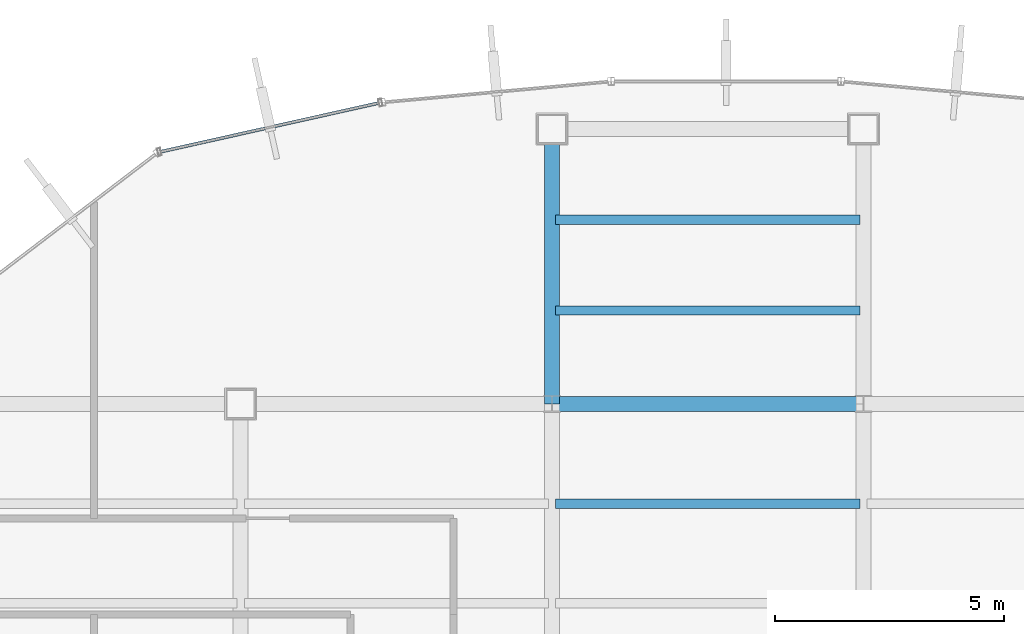
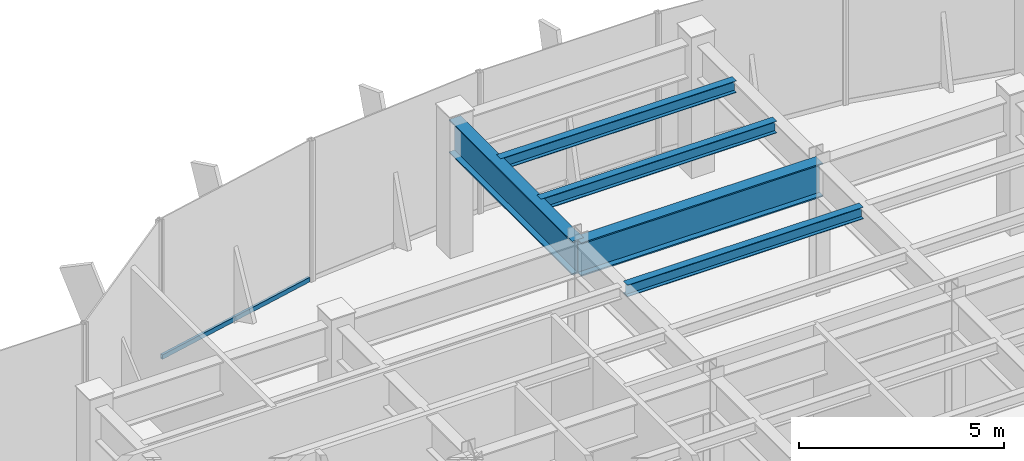
# One storey, part 11 of 26: 5 beams, 1 member, 1 element without a shape of its own.
"""IFC4 building model written with IfcOpenShell, lengths in metres."""

import ifcopenshell
import ifcopenshell.guid

model = None  # the IFC model being written
_history = None  # IfcOwnerHistory: only IFC2X3 demands one
_inside = {}  # id of a spatial element -> (the spatial element, [elements in it])
_under = {}  # id of a project, library or spatial element -> (it, [spatial elements below it])
_declared = {}  # id of a project -> (the project, [libraries it declares])
_typed = {}  # id of a type object -> (the type object, [elements of that type])
_made_of = {}  # id of a material, layer set ... -> (it, [elements and type objects made of it])


def new_model(schema):
    """Start an empty IFC model of exactly this schema.

    Asked for "IFC4X3", IfcOpenShell would pick the latest addendum, in which some entities
    have other attributes; the version numbers below select the first issue.
    IFC2X3 requires an IfcOwnerHistory on every rooted entity: one is made here for all.
    """
    global model, _history
    if schema == "IFC4X3":
        model = ifcopenshell.file(schema_version=(4, 3, 0, 0))
    else:
        model = ifcopenshell.file(schema=schema)
    _inside.clear()
    _under.clear()
    _declared.clear()
    _typed.clear()
    _made_of.clear()
    _history = None
    if model.schema == "IFC2X3":
        org = make("IfcOrganization", Name="unknown")
        user = make(
            "IfcPersonAndOrganization",
            ThePerson=make("IfcPerson", FamilyName="unknown"),
            TheOrganization=org,
        )
        app = make(
            "IfcApplication",
            ApplicationDeveloper=org,
            Version="unknown",
            ApplicationFullName="unknown",
            ApplicationIdentifier="unknown",
        )
        _history = make(
            "IfcOwnerHistory",
            OwningUser=user,
            OwningApplication=app,
            ChangeAction="ADDED",
            CreationDate=0,
        )
    return model


def make(cls, **values):
    """One entity of the class cls with the attributes given. An attribute that is None is left unset."""
    return model.create_entity(
        cls, **{name: value for name, value in values.items() if value is not None}
    )


def rooted(cls, **values):
    """An entity with a GlobalId (a new one), such as an element, a storey or a relation."""
    return make(cls, GlobalId=ifcopenshell.guid.new(), OwnerHistory=_history, **values)


def si_unit(unit_type, name, prefix=None):
    """IfcSIUnit, for example si_unit("LENGTHUNIT", "METRE", prefix="MILLI")."""
    return make("IfcSIUnit", UnitType=unit_type, Prefix=prefix, Name=name)


def derived_unit(unit_type, elements):
    """IfcDerivedUnit: a product of units, each with its exponent."""
    return make(
        "IfcDerivedUnit",
        Elements=[
            make("IfcDerivedUnitElement", Unit=unit, Exponent=power)
            for unit, power in elements
        ],
        UnitType=unit_type,
    )


def assignment(units):
    """IfcUnitAssignment: the units of a project."""
    return None if units is None else make("IfcUnitAssignment", Units=units)


def point(xyz):
    """IfcCartesianPoint."""
    return None if xyz is None else make("IfcCartesianPoint", Coordinates=xyz)


def direction(xyz):
    """IfcDirection."""
    return None if xyz is None else make("IfcDirection", DirectionRatios=xyz)


def frame(location, z_axis=None, x_axis=None):
    """IfcAxis2Placement3D, a coordinate frame: its origin and axes. An axis left out is left unset."""
    return make(
        "IfcAxis2Placement3D",
        Location=point(location),
        Axis=direction(z_axis),
        RefDirection=direction(x_axis),
    )


def frame_2d(location, x_axis=None):
    """IfcAxis2Placement2D, a coordinate frame in the plane: its origin and x axis."""
    return make(
        "IfcAxis2Placement2D", Location=point(location), RefDirection=direction(x_axis)
    )


def origin():
    """The frame at (0, 0, 0) with its axes left unset."""
    return frame((0.0, 0.0, 0.0))


def origin_2d():
    """The frame at (0, 0) in the plane with its x axis left unset."""
    return frame_2d((0.0, 0.0))


def place(relative_to, where):
    """IfcLocalPlacement: puts the frame where relative to a parent placement (None: the world)."""
    return make(
        "IfcLocalPlacement", PlacementRelTo=relative_to, RelativePlacement=where
    )


def context(
    kind, dimensions, precision=None, world=None, true_north=None, identifier=None
):
    """IfcGeometricRepresentationContext, for example the 3D "Model" context."""
    return make(
        "IfcGeometricRepresentationContext",
        ContextIdentifier=identifier,
        ContextType=kind,
        CoordinateSpaceDimension=dimensions,
        Precision=precision,
        WorldCoordinateSystem=world,
        TrueNorth=true_north,
    )


def subcontext(parent, identifier, kind, view, scale=None):
    """IfcGeometricRepresentationSubContext, for example "Body" below "Model"."""
    return make(
        "IfcGeometricRepresentationSubContext",
        ContextIdentifier=identifier,
        ContextType=kind,
        ParentContext=parent,
        TargetScale=scale,
        TargetView=view,
    )


def project(units=None, contexts=None):
    """IfcProject with its units and contexts."""
    return rooted(
        "IfcProject",
        Name="project",
        RepresentationContexts=contexts,
        UnitsInContext=assignment(units),
    )


def spatial(cls, under=None, at=None, **own):
    """A site, building, storey or space (cls), placed at a placement, below another one or the project."""
    s = rooted(cls, ObjectPlacement=at, **own)
    if under is not None:
        _under.setdefault(under.id(), (under, []))[1].append(s)
    return s


def profile(cls, at=None, kind="AREA", **sizes):
    """A parametric profile (cls). Its sizes go by their IFC names, for example OverallWidth=200.0."""
    return make(cls, ProfileType=kind, Position=at, **sizes)


def hollow_rectangle(**sizes):
    """IfcRectangleHollowProfileDef."""
    return profile("IfcRectangleHollowProfileDef", **sizes)


def i_section(**sizes):
    """IfcIShapeProfileDef."""
    return profile("IfcIShapeProfileDef", **sizes)


def extrude(swept, where, along, depth):
    """IfcExtrudedAreaSolid: the profile swept, set in the frame where, extruded along a direction by depth."""
    return make(
        "IfcExtrudedAreaSolid",
        SweptArea=swept,
        Position=where,
        ExtrudedDirection=direction(along),
        Depth=depth,
    )


def shape(context_of_items, identifier, shape_type, items):
    """IfcShapeRepresentation: the items that make up one representation, for example the "Body"."""
    return make(
        "IfcShapeRepresentation",
        ContextOfItems=context_of_items,
        RepresentationIdentifier=identifier,
        RepresentationType=shape_type,
        Items=items,
    )


def source(mapping_origin, context_of_items, identifier, shape_type, items):
    """IfcRepresentationMap: a shape defined once, which mapped items show again and again."""
    return make(
        "IfcRepresentationMap",
        MappingOrigin=mapping_origin,
        MappedRepresentation=shape(context_of_items, identifier, shape_type, items),
    )


def transform(
    local_origin,
    x_axis=None,
    y_axis=None,
    z_axis=None,
    scale=None,
    scale2=None,
    scale3=None,
    uniform=True,
):
    """IfcCartesianTransformationOperator3D, or its non-uniform kind. x_axis, y_axis, z_axis: its Axis1, 2, 3."""
    if uniform:
        return make(
            "IfcCartesianTransformationOperator3D",
            Axis1=direction(x_axis),
            Axis2=direction(y_axis),
            LocalOrigin=point(local_origin),
            Scale=scale,
            Axis3=direction(z_axis),
        )
    return make(
        "IfcCartesianTransformationOperator3DnonUniform",
        Axis1=direction(x_axis),
        Axis2=direction(y_axis),
        LocalOrigin=point(local_origin),
        Scale=scale,
        Axis3=direction(z_axis),
        Scale2=scale2,
        Scale3=scale3,
    )


def mapped(mapping_source, mapping_target):
    """IfcMappedItem: shows the shape of a source again, moved by a transform."""
    return make(
        "IfcMappedItem", MappingSource=mapping_source, MappingTarget=mapping_target
    )


def material(Name=None, Category=None):
    """IfcMaterial."""
    return make("IfcMaterial", Name=Name, Category=Category)


def material_profile(
    of_material, cross_section, Name=None, Category=None, Priority=None
):
    """IfcMaterialProfile: a cross section and its material."""
    return make(
        "IfcMaterialProfile",
        Name=Name,
        Material=of_material,
        Profile=cross_section,
        Priority=Priority,
        Category=Category,
    )


def profile_set(profiles, Name=None, composite=None):
    """IfcMaterialProfileSet."""
    return make(
        "IfcMaterialProfileSet",
        Name=Name,
        MaterialProfiles=profiles,
        CompositeProfile=composite,
    )


def made_of(thing, what):
    """Note that an element or type object is made of a material, layer set ...; save() writes the relation."""
    if what is not None:
        _made_of.setdefault(what.id(), (what, []))[1].append(thing)
    return thing


def type_object(cls, material=None, **own):
    """A type object (cls), such as IfcWallType, which elements share."""
    return made_of(rooted(cls, **own), material)


def element(
    cls,
    number,
    at=None,
    inside=None,
    cuts=None,
    type_object=None,
    material=None,
    context=None,
    identifier="Body",
    shape_type=None,
    held_by="IfcProductDefinitionShape",
    body=None,
    shapes=None,
    **own,
):
    """One element of the class cls, such as IfcWall. Its Tag is "e" and its number.

    at: its placement. inside: the storey or other place that contains it. cuts: it is an
    opening in that element (IfcRelVoidsElement). A single representation is given by context,
    identifier, shape_type and body (its items); several are given by shapes. held_by: the class
    of the entity that holds the representations. save() writes the other relations.
    """
    e = rooted(cls, Tag="e%d" % number, ObjectPlacement=at, **own)
    if body is not None:
        shapes = [shape(context, identifier, shape_type, body)]
    if shapes is not None:
        e.Representation = make(held_by, Representations=shapes)
    if inside is not None:
        _inside.setdefault(inside.id(), (inside, []))[1].append(e)
    if cuts is not None:
        rooted(
            "IfcRelVoidsElement", RelatingBuildingElement=cuts, RelatedOpeningElement=e
        )
    if type_object is not None:
        _typed.setdefault(type_object.id(), (type_object, []))[1].append(e)
    return made_of(e, material)


def aggregate(whole, parts):
    """IfcRelAggregates: a whole, such as a stair, and the parts it consists of."""
    return rooted("IfcRelAggregates", RelatingObject=whole, RelatedObjects=parts)


def save(model, path):
    """Write the relations noted so far, then the file.

    IfcRelAggregates (storeys below a building ...), IfcRelContainedInSpatialStructure (elements
    in a storey), IfcRelDefinesByType, IfcRelAssociatesMaterial and IfcRelDeclares: one each for
    every whole, place, type object, material and project.
    """
    for whole, parts in _under.values():
        aggregate(whole, parts)
    for where, things in _inside.values():
        rooted(
            "IfcRelContainedInSpatialStructure",
            RelatedElements=things,
            RelatingStructure=where,
        )
    for kind, things in _typed.values():
        rooted("IfcRelDefinesByType", RelatedObjects=things, RelatingType=kind)
    for what, things in _made_of.values():
        rooted("IfcRelAssociatesMaterial", RelatedObjects=things, RelatingMaterial=what)
    for by, libraries in _declared.values():
        rooted("IfcRelDeclares", RelatingContext=by, RelatedDefinitions=libraries)
    model.write(path)


model = new_model("IFC4")

# Units and contexts
model_context = context("Model", 3, precision=1e-05, world=origin(), true_north=direction((0.0, 1.0)))
body_context = subcontext(model_context, "Body", "Model", "MODEL_VIEW")
ifc_project = project(units=[si_unit("LENGTHUNIT", "METRE"), si_unit("AREAUNIT", "SQUARE_METRE"), si_unit("VOLUMEUNIT", "CUBIC_METRE"), si_unit("PLANEANGLEUNIT", "RADIAN"), si_unit("MASSUNIT", "GRAM", prefix="KILO"), derived_unit("THERMALTRANSMITTANCEUNIT", [(si_unit("POWERUNIT", "WATT"), 1), (si_unit("LENGTHUNIT", "METRE"), -2), (si_unit("THERMODYNAMICTEMPERATUREUNIT", "KELVIN"), -1)])], contexts=[model_context])

# Site, building, storey
site_placement = place(None, origin())
site = spatial("IfcSite", under=ifc_project, at=site_placement, CompositionType="ELEMENT")
building_placement = place(site_placement, origin())
building = spatial("IfcBuilding", under=site, at=building_placement, Name="Skarnbrae Concourse Arena and Tower", CompositionType="ELEMENT")
storey_placement = place(building_placement, frame((0.0, 0.0, 184.39990234375)))
storey = spatial("IfcBuildingStorey", under=building, at=storey_placement, Name="L47", CompositionType="ELEMENT", Elevation=184.39990234375)

# Beams
ifc_material_1 = material(Name="Steel CSA G40.21 350W", Category="steel")
ifc_material_profile_1 = material_profile(ifc_material_1, i_section(OverallWidth=0.327880859375, OverallDepth=1.0, WebThickness=0.02099609375, FlangeThickness=0.03759765625, at=origin_2d()), Name="W1000X371")
ifc_profile_set_1 = profile_set([ifc_material_profile_1], Name="Steel CSA G40.21 350W")
beam_type_1 = type_object("IfcBeamType", Name="BM-XFER-W1000X371", PredefinedType="BEAM", material=ifc_profile_set_1)
shared_shape_1 = source(origin(), body_context, "Body", "SweptSolid", [
    extrude(i_section(OverallWidth=0.327880859375, OverallDepth=1.0, WebThickness=0.02099609375, FlangeThickness=0.03759765625, at=origin_2d()), origin(), (0.0, 0.0, 1.0), 6.0),
])
beam_1_placement = place(storey_placement, frame((21.199951171875, 34.39990234375, 3.400146484375), z_axis=(0.0, 1.0, 0.0), x_axis=(-1.0, 0.0, 0.0)))
element("IfcBeam", 1, at=beam_1_placement, inside=storey, type_object=beam_type_1, Name="L47 Primary N-S girder X21.2-4", PredefinedType="BEAM", context=body_context, shape_type="MappedRepresentation", body=[
    mapped(shared_shape_1, transform((0.0, 0.0, 0.0))),
])
shared_shape_2 = source(origin(), body_context, "Body", "SweptSolid", [
    extrude(i_section(OverallWidth=0.327880859375, OverallDepth=1.0, WebThickness=0.02099609375, FlangeThickness=0.03759765625, at=origin_2d()), origin(), (0.0, 0.0, 1.0), 6.800048828125),
])
beam_2_placement = place(storey_placement, frame((21.199951171875, 34.39990234375, 3.400146484375), z_axis=(1.0, 0.0, 0.0), x_axis=(0.0, 1.0, 0.0)))
element("IfcBeam", 2, at=beam_2_placement, inside=storey, type_object=beam_type_1, Name="L47 Primary E-W girder Y34.4-3", PredefinedType="BEAM", context=body_context, shape_type="MappedRepresentation", body=[
    mapped(shared_shape_2, transform((0.0, 0.0, 0.0))),
])
ifc_material_profile_2 = material_profile(ifc_material_1, i_section(OverallWidth=0.205078125, OverallDepth=0.35400390625, WebThickness=0.009521484375, FlangeThickness=0.016845703125, at=origin_2d()), Name="W360X79")
ifc_profile_set_2 = profile_set([ifc_material_profile_2], Name="Steel CSA G40.21 350W")
beam_type_2 = type_object("IfcBeamType", Name="BM-JOIST-W360X79", PredefinedType="JOIST", material=ifc_profile_set_2)
shared_shape_3 = source(origin(), body_context, "Body", "SweptSolid", [
    extrude(i_section(OverallWidth=0.205078125, OverallDepth=0.35400390625, WebThickness=0.009521484375, FlangeThickness=0.016845703125, at=origin_2d()), origin(), (0.0, 0.0, 1.0), 6.639892578125),
])
for number, where, z_axis, x_axis, name in (
    (3, (21.280029296875, 32.221923828125, 3.72314453125), (1.0, 0.0, 0.0), (0.0, 1.0, 0.0), "L47 Secondary floor joist 3.2.3"),
    (4, (21.280029296875, 36.43994140625, 3.72314453125), (1.0, 0.0, 0.0), (0.0, 1.0, 0.0), "L47 Secondary floor joist 4.1.1"),
    (5, (21.280029296875, 38.419921875, 3.72314453125), (1.0, 0.0, 0.0), (0.0, 1.0, 0.0), "L47 Secondary floor joist 4.2.1"),
):
    element("IfcBeam", number, at=place(storey_placement, frame(where, z_axis=z_axis, x_axis=x_axis)), inside=storey, type_object=beam_type_2, Name=name, PredefinedType="JOIST", context=body_context, shape_type="MappedRepresentation", body=[
        mapped(shared_shape_3, transform((0.0, 0.0, 0.0))),
    ])

# Curtain wall, member
ifc_material_2 = material(Name="Bronze anodised aluminium 6063-T6", Category="aluminium")
curtain_wall_type = type_object("IfcCurtainWallType", Name="CW-SYS-06-SKYLOBBY", PredefinedType="USERDEFINED", material=ifc_material_2)
curtain_wall_placement = place(storey_placement, origin())
curtain_wall = element("IfcCurtainWall", 6, at=curtain_wall_placement, inside=storey, type_object=curtain_wall_type, Name="L47 Unitised curtain wall CW-L47-E13", ObjectType="UNITISED CURTAIN WALL", PredefinedType="USERDEFINED")
ifc_material_profile_3 = material_profile(ifc_material_2, hollow_rectangle(XDim=0.070068359375, YDim=0.135009765625, WallThickness=0.00390625, at=origin_2d()), Name="ALU-TRAN-70X135")
ifc_profile_set_3 = profile_set([ifc_material_profile_3], Name="Bronze anodised aluminium 6063-T6")
member_type = type_object("IfcMemberType", Name="CWT-CW-06", PredefinedType="USERDEFINED", material=ifc_profile_set_3)
shared_shape_4 = source(origin(), body_context, "Body", "SweptSolid", [
    extrude(hollow_rectangle(XDim=0.070068359375, YDim=0.135009765625, WallThickness=0.00390625, at=origin_2d()), origin(), (0.0, 0.0, 1.0), 4.878173828125),
])
member_placement = place(storey_placement, frame((17.41943359375, 40.9716796875, 0.067626953125), z_axis=(-0.975935578938, -0.21805904192, 0.0), x_axis=(0.21805904192, -0.975935578938, 0.0)))
member = element("IfcMember", 7, at=member_placement, type_object=member_type, Name="CW-L47-E13 Transom 1", ObjectType="TRANSOM", PredefinedType="USERDEFINED", context=body_context, shape_type="MappedRepresentation", body=[
    mapped(shared_shape_4, transform((0.0, 0.0, 0.0))),
])
aggregate(curtain_wall, [member])

save(model, "model.ifc")
